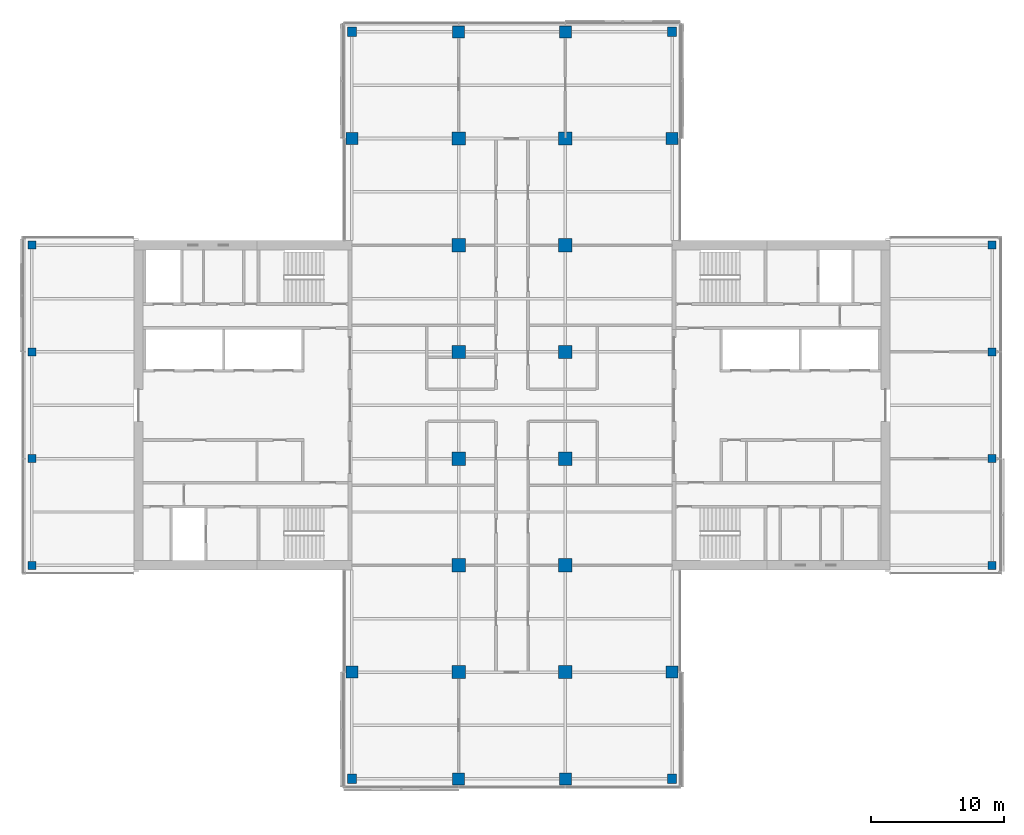
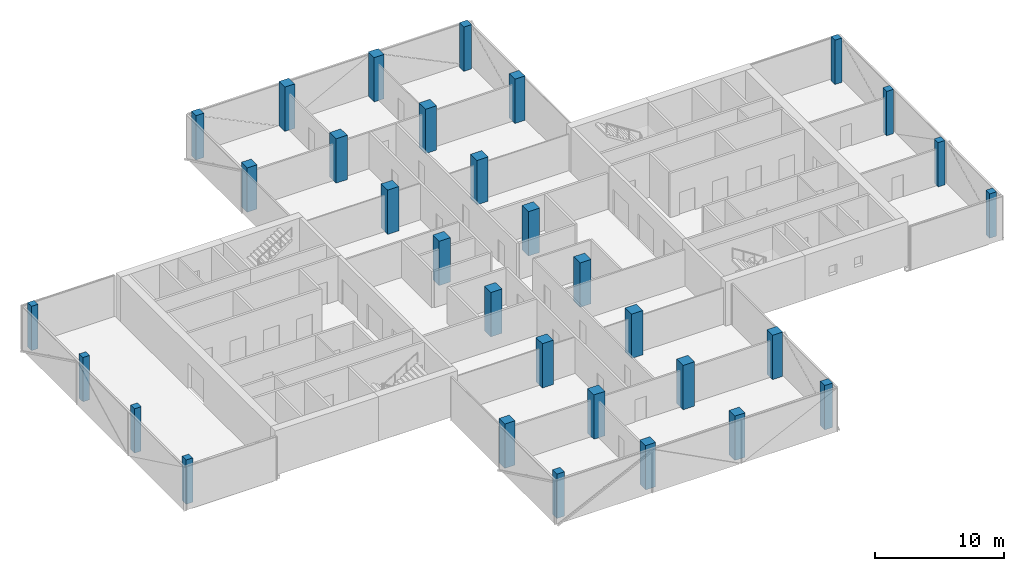
# One storey, part 1 of 22: 32 columns.
"""IFC4 building model written with IfcOpenShell, lengths in metres."""

from ifc_helpers import new_model, si_unit, direction, frame, origin, origin_2d, place, context, subcontext, project, spatial, rectangle, extrude, material, material_profile, profile_set, type_object, element, save


model = new_model("IFC4")

# Units and contexts
model_context = context("Model", 3, precision=1e-05, world=origin(), true_north=direction((0.0, 1.0)))
body_context = subcontext(model_context, "Body", "Model", "MODEL_VIEW")
ifc_project = project(units=[si_unit("LENGTHUNIT", "METRE"), si_unit("AREAUNIT", "SQUARE_METRE"), si_unit("VOLUMEUNIT", "CUBIC_METRE"), si_unit("PLANEANGLEUNIT", "RADIAN"), si_unit("MASSUNIT", "GRAM", prefix="KILO")], contexts=[model_context])

# Site, building, storey
site_placement = place(None, origin())
site = spatial("IfcSite", under=ifc_project, at=site_placement, CompositionType="ELEMENT")
building_placement = place(site_placement, origin())
building = spatial("IfcBuilding", under=site, at=building_placement, Name="Crosswind Convention Tower", CompositionType="ELEMENT")
storey_placement = place(building_placement, frame((0.0, 0.0, 129.5)))
storey = spatial("IfcBuildingStorey", under=building, at=storey_placement, Name="L26", CompositionType="ELEMENT", Elevation=129.5)

# Columns
ifc_material_1 = material(Name="Concrete C70/85", Category="concrete")
ifc_material_profile_1 = material_profile(ifc_material_1, rectangle(XDim=1.0, YDim=1.0, at=origin_2d()), Name="RC 1000X1000")
ifc_profile_set_1 = profile_set([ifc_material_profile_1], Name="Concrete C70/85")
column_type_1 = type_object("IfcColumnType", Name="Column RC 1000X1000", PredefinedType="COLUMN", material=ifc_profile_set_1)
for number, where, z_axis, x_axis, name in (
    (1, (121.0, 80.0, 0.0), (0.0, 0.0, 1.0), (1.0, 0.0, 0.0), "C12 L26 6/D"),
    (2, (121.0, 88.0, 0.0), (0.0, 0.0, 1.0), (1.0, 0.0, 0.0), "C12 L26 6/E"),
    (3, (121.0, 96.0, 0.0), (0.0, 0.0, 1.0), (1.0, 0.0, 0.0), "C12 L26 6/F"),
    (4, (121.0, 104.0, 0.0), (0.0, 0.0, 1.0), (1.0, 0.0, 0.0), "C12 L26 6/G"),
    (5, (121.0, 112.0, 0.0), (0.0, 0.0, 1.0), (1.0, 0.0, 0.0), "C12 L26 6/H"),
    (6, (121.0, 120.0, 0.0), (0.0, 0.0, 1.0), (1.0, 0.0, 0.0), "C12 L26 6/I"),
    (7, (129.0, 80.0, 0.0), (0.0, 0.0, 1.0), (1.0, 0.0, 0.0), "C12 L26 7/D"),
    (8, (129.0, 88.0, 0.0), (0.0, 0.0, 1.0), (1.0, 0.0, 0.0), "C12 L26 7/E"),
    (9, (129.0, 96.0, 0.0), (0.0, 0.0, 1.0), (1.0, 0.0, 0.0), "C12 L26 7/F"),
    (10, (129.0, 104.0, 0.0), (0.0, 0.0, 1.0), (1.0, 0.0, 0.0), "C12 L26 7/G"),
    (11, (129.0, 112.0, 0.0), (0.0, 0.0, 1.0), (1.0, 0.0, 0.0), "C12 L26 7/H"),
    (12, (129.0, 120.0, 0.0), (0.0, 0.0, 1.0), (1.0, 0.0, 0.0), "C12 L26 7/I"),
):
    element("IfcColumn", number, at=place(storey_placement, frame(where, z_axis=z_axis, x_axis=x_axis)), inside=storey, type_object=column_type_1, Name=name, PredefinedType="COLUMN", context=body_context, shape_type="SweptSolid", body=[
        extrude(rectangle(XDim=1.0, YDim=1.0, at=origin_2d()), origin(), (0.0, 0.0, 1.0), 4.199951171875),
    ])
ifc_material_2 = material(Name="Concrete C60/75", Category="concrete")
ifc_material_profile_2 = material_profile(ifc_material_2, rectangle(XDim=0.60009765625, YDim=0.60009765625, at=origin_2d()), Name="RC 600X600")
ifc_profile_set_2 = profile_set([ifc_material_profile_2], Name="Concrete C60/75")
column_type_2 = type_object("IfcColumnType", Name="Column RC 600X600", PredefinedType="COLUMN", material=ifc_profile_set_2)
for number, where, z_axis, x_axis, name in (
    (13, (89.0, 88.0, 0.0), (0.0, 0.0, 1.0), (1.0, 0.0, 0.0), "C16 L26 2/E"),
    (14, (89.0, 96.0, 0.0), (0.0, 0.0, 1.0), (1.0, 0.0, 0.0), "C16 L26 2/F"),
    (15, (89.0, 104.0, 0.0), (0.0, 0.0, 1.0), (1.0, 0.0, 0.0), "C16 L26 2/G"),
    (16, (89.0, 112.0, 0.0), (0.0, 0.0, 1.0), (1.0, 0.0, 0.0), "C16 L26 2/H"),
    (17, (161.0, 88.0, 0.0), (0.0, 0.0, 1.0), (1.0, 0.0, 0.0), "C16 L26 11/E"),
    (18, (161.0, 96.0, 0.0), (0.0, 0.0, 1.0), (1.0, 0.0, 0.0), "C16 L26 11/F"),
    (19, (161.0, 104.0, 0.0), (0.0, 0.0, 1.0), (1.0, 0.0, 0.0), "C16 L26 11/G"),
    (20, (161.0, 112.0, 0.0), (0.0, 0.0, 1.0), (1.0, 0.0, 0.0), "C16 L26 11/H"),
):
    element("IfcColumn", number, at=place(storey_placement, frame(where, z_axis=z_axis, x_axis=x_axis)), inside=storey, type_object=column_type_2, Name=name, PredefinedType="COLUMN", context=body_context, shape_type="SweptSolid", body=[
        extrude(rectangle(XDim=0.60009765625, YDim=0.60009765625, at=origin_2d()), origin(), (0.0, 0.0, 1.0), 4.199951171875),
    ])
ifc_material_profile_3 = material_profile(ifc_material_2, rectangle(XDim=0.699951171875, YDim=0.699951171875, at=origin_2d()), Name="RC 700X700")
ifc_profile_set_3 = profile_set([ifc_material_profile_3], Name="Concrete C60/75")
column_type_3 = type_object("IfcColumnType", Name="Column RC 700X700", PredefinedType="COLUMN", material=ifc_profile_set_3)
for number, where, z_axis, x_axis, name in (
    (21, (113.0, 72.0, 0.0), (0.0, 0.0, 1.0), (1.0, 0.0, 0.0), "C15 L26 5/C"),
    (22, (113.0, 128.0, 0.0), (0.0, 0.0, 1.0), (1.0, 0.0, 0.0), "C15 L26 5/J"),
    (23, (137.0, 72.0, 0.0), (0.0, 0.0, 1.0), (1.0, 0.0, 0.0), "C15 L26 8/C"),
    (24, (137.0, 128.0, 0.0), (0.0, 0.0, 1.0), (1.0, 0.0, 0.0), "C15 L26 8/J"),
):
    element("IfcColumn", number, at=place(storey_placement, frame(where, z_axis=z_axis, x_axis=x_axis)), inside=storey, type_object=column_type_3, Name=name, PredefinedType="COLUMN", context=body_context, shape_type="SweptSolid", body=[
        extrude(rectangle(XDim=0.699951171875, YDim=0.699951171875, at=origin_2d()), origin(), (0.0, 0.0, 1.0), 4.199951171875),
    ])
ifc_material_profile_4 = material_profile(ifc_material_2, rectangle(XDim=0.89990234375, YDim=0.89990234375, at=origin_2d()), Name="RC 900X900")
ifc_profile_set_4 = profile_set([ifc_material_profile_4], Name="Concrete C60/75")
column_type_4 = type_object("IfcColumnType", Name="Column RC 900X900", PredefinedType="COLUMN", material=ifc_profile_set_4)
for number, where, z_axis, x_axis, name in (
    (25, (113.0, 80.0, 0.0), (0.0, 0.0, 1.0), (1.0, 0.0, 0.0), "C13 L26 5/D"),
    (26, (113.0, 120.0, 0.0), (0.0, 0.0, 1.0), (1.0, 0.0, 0.0), "C13 L26 5/I"),
    (27, (121.0, 72.0, 0.0), (0.0, 0.0, 1.0), (1.0, 0.0, 0.0), "C13 L26 6/C"),
    (28, (121.0, 128.0, 0.0), (0.0, 0.0, 1.0), (1.0, 0.0, 0.0), "C13 L26 6/J"),
    (29, (129.0, 72.0, 0.0), (0.0, 0.0, 1.0), (1.0, 0.0, 0.0), "C13 L26 7/C"),
    (30, (129.0, 128.0, 0.0), (0.0, 0.0, 1.0), (1.0, 0.0, 0.0), "C13 L26 7/J"),
    (31, (137.0, 80.0, 0.0), (0.0, 0.0, 1.0), (1.0, 0.0, 0.0), "C13 L26 8/D"),
    (32, (137.0, 120.0, 0.0), (0.0, 0.0, 1.0), (1.0, 0.0, 0.0), "C13 L26 8/I"),
):
    element("IfcColumn", number, at=place(storey_placement, frame(where, z_axis=z_axis, x_axis=x_axis)), inside=storey, type_object=column_type_4, Name=name, PredefinedType="COLUMN", context=body_context, shape_type="SweptSolid", body=[
        extrude(rectangle(XDim=0.89990234375, YDim=0.89990234375, at=origin_2d()), origin(), (0.0, 0.0, 1.0), 4.199951171875),
    ])

save(model, "model.ifc")
